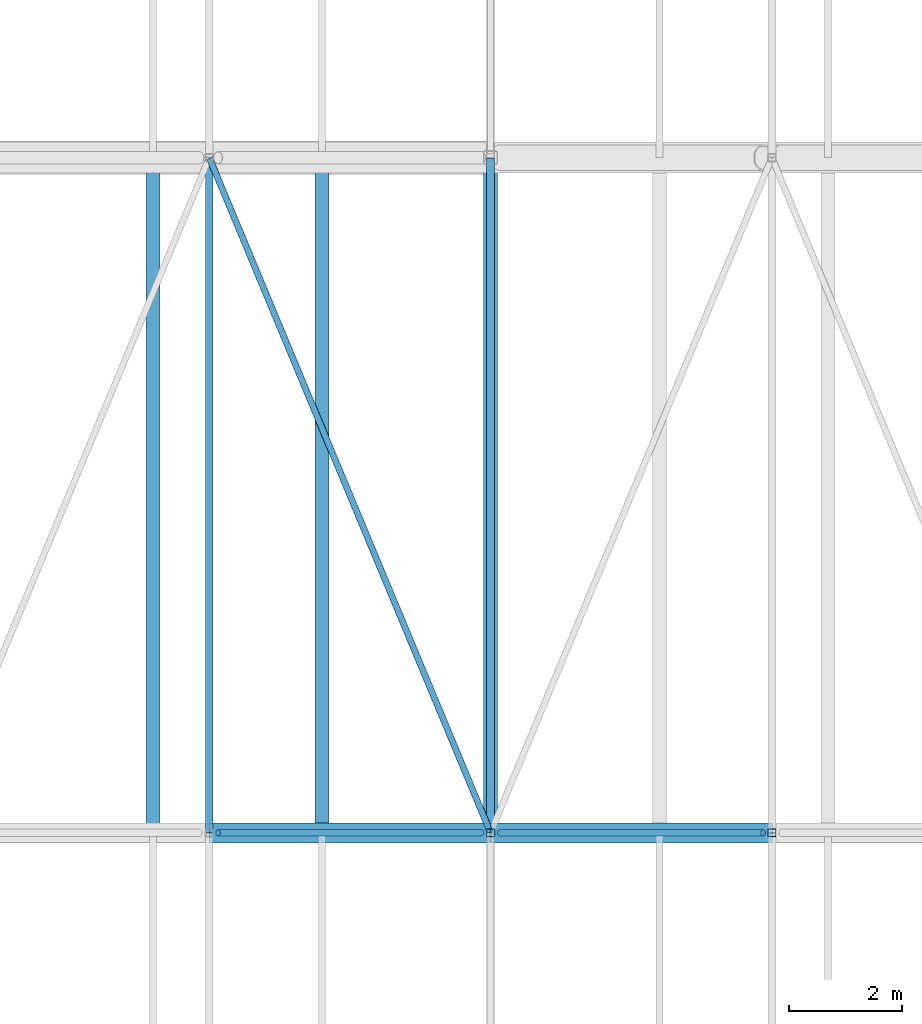
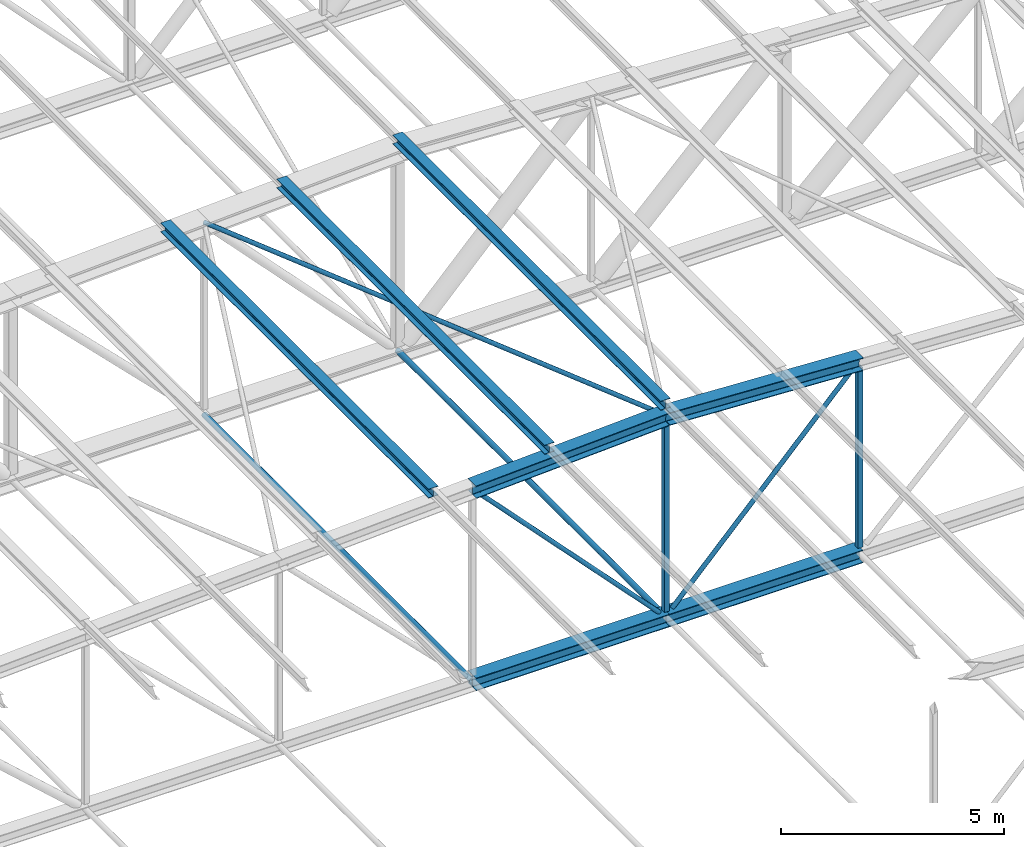
# One storey, part 70 of 156: 14 members.
"""IFC4 building model written with IfcOpenShell, lengths in metres."""

from ifc_helpers import new_model, si_unit, direction, frame, origin, origin_2d, place, context, subcontext, project, spatial, hollow_rectangle, hollow_circle, i_section, extrude, material, material_profile, profile_set, type_object, element, save


model = new_model("IFC4")

# Units and contexts
model_context = context("Model", 3, precision=1e-05, world=origin(), true_north=direction((0.0, 1.0)))
body_context = subcontext(model_context, "Body", "Model", "MODEL_VIEW")
ifc_project = project(units=[si_unit("LENGTHUNIT", "METRE"), si_unit("AREAUNIT", "SQUARE_METRE"), si_unit("VOLUMEUNIT", "CUBIC_METRE"), si_unit("PLANEANGLEUNIT", "RADIAN"), si_unit("MASSUNIT", "GRAM", prefix="KILO")], contexts=[model_context])

# Site, building, storey
site_placement = place(None, origin())
site = spatial("IfcSite", under=ifc_project, at=site_placement, CompositionType="ELEMENT")
building_placement = place(site_placement, origin())
building = spatial("IfcBuilding", under=site, at=building_placement, Name="Lilac Gate Convention Centre", CompositionType="ELEMENT")
storey_placement = place(building_placement, frame((0.0, 0.0, 17.0)))
storey = spatial("IfcBuildingStorey", under=building, at=storey_placement, Name="L03", CompositionType="ELEMENT", Elevation=17.0)

# Members
ifc_material = material(Name="Steel Q355B", Category="steel")
ifc_material_profile_1 = material_profile(ifc_material, hollow_circle(Radius=0.06982421875, WallThickness=0.0048828125, at=origin_2d()), Name="CHS139.7x5")
ifc_profile_set_1 = profile_set([ifc_material_profile_1], Name="Steel Q355B")
member_type_1 = type_object("IfcMemberType", Name="Bottom chord tie CHS139.7x5", PredefinedType="STRUT", material=ifc_profile_set_1)
for number, where, z_axis, x_axis, name in (
    (1, (55.0, 126.009521484375, 0.0), (0.0, 1.0, 0.0), (-1.0, 0.0, 0.0), "ST1 tie bay 9 node 6"),
    (2, (60.0, 126.009521484375, 0.0), (0.0, 1.0, 0.0), (-1.0, 0.0, 0.0), "ST1 tie bay 9 node 7"),
):
    element("IfcMember", number, at=place(storey_placement, frame(where, z_axis=z_axis, x_axis=x_axis)), inside=storey, type_object=member_type_1, Name=name, PredefinedType="STRUT", context=body_context, shape_type="SweptSolid", body=[
        extrude(hollow_circle(Radius=0.06982421875, WallThickness=0.0048828125, at=origin_2d()), origin(), (0.0, 0.0, 1.0), 11.98046875),
    ])
ifc_material_profile_2 = material_profile(ifc_material, hollow_circle(Radius=0.05712890625, WallThickness=0.0048828125, at=origin_2d()), Name="CHS114.3x5")
ifc_profile_set_2 = profile_set([ifc_material_profile_2], Name="Steel Q355B")
member_type_2 = type_object("IfcMemberType", Name="Roof plane bracing CHS114.3x5", PredefinedType="BRACE", material=ifc_profile_set_2)
member_1_placement = place(storey_placement, frame((55.005126953125, 137.987548828125, 5.250244140625), z_axis=(0.38455228383, -0.922902902528, 0.019229495747), x_axis=(0.923073582385, 0.384623402177, 0.0)))
element("IfcMember", 3, at=member_1_placement, inside=storey, type_object=member_type_2, Name="BR1 plan bracing bay 9 panel 6", PredefinedType="BRACE", context=body_context, shape_type="SweptSolid", body=[
    extrude(hollow_circle(Radius=0.05712890625, WallThickness=0.0048828125, at=origin_2d()), origin(), (0.0, 0.0, 1.0), 12.9755859375),
])
ifc_material_profile_3 = material_profile(ifc_material, i_section(OverallWidth=0.25, OverallDepth=0.25, WebThickness=0.009033203125, FlangeThickness=0.013916015625, FilletRadius=0.012939453125, at=origin_2d()), Name="HW250x250x9x14")
ifc_profile_set_3 = profile_set([ifc_material_profile_3], Name="Steel Q355B")
member_type_3 = type_object("IfcMemberType", Name="Roof purlin HW250x250x9x14", PredefinedType="PURLIN", material=ifc_profile_set_3)
for number, where, z_axis, x_axis, name in (
    (4, (54.0, 126.0, 5.500244140625), (0.0, 1.0, 0.0), (-1.0, 0.0, 0.0), "PU1 purlin bay 9 line 9"),
    (5, (57.0, 126.0, 5.650146484375), (0.0, 1.0, 0.0), (-1.0, 0.0, 0.0), "PU1 purlin bay 9 line 10"),
    (6, (60.0, 126.0, 5.80029296875), (0.0, 1.0, 0.0), (-1.0, 0.0, 0.0), "PU1 purlin bay 9 line 11"),
):
    element("IfcMember", number, at=place(storey_placement, frame(where, z_axis=z_axis, x_axis=x_axis)), inside=storey, type_object=member_type_3, Name=name, PredefinedType="PURLIN", context=body_context, shape_type="SweptSolid", body=[
        extrude(i_section(OverallWidth=0.25, OverallDepth=0.25, WebThickness=0.009033203125, FlangeThickness=0.013916015625, FilletRadius=0.012939453125, at=origin_2d()), origin(), (0.0, 0.0, 1.0), 12.0),
    ])
ifc_material_profile_4 = material_profile(ifc_material, i_section(OverallWidth=0.35693359375, OverallDepth=0.35009765625, WebThickness=0.01904296875, FlangeThickness=0.01904296875, FilletRadius=0.012939453125, at=origin_2d()), Name="HW350x357x19x19")
ifc_profile_set_4 = profile_set([ifc_material_profile_4], Name="Steel Q355B")
member_type_4 = type_object("IfcMemberType", Name="Truss bottom chord HW350x357x19x19", PredefinedType="CHORD", material=ifc_profile_set_4)
for number, where, z_axis, x_axis, name in (
    (7, (55.0, 126.0, 0.0), (1.0, 0.0, 0.0), (0.0, 1.0, 0.0), "TB3 truss 9 bottom chord 6"),
    (8, (60.0, 126.0, 0.0), (1.0, 0.0, 0.0), (0.0, 1.0, 0.0), "TB3 truss 9 bottom chord 7"),
):
    element("IfcMember", number, at=place(storey_placement, frame(where, z_axis=z_axis, x_axis=x_axis)), inside=storey, type_object=member_type_4, Name=name, PredefinedType="CHORD", context=body_context, shape_type="SweptSolid", body=[
        extrude(i_section(OverallWidth=0.35693359375, OverallDepth=0.35009765625, WebThickness=0.01904296875, FlangeThickness=0.01904296875, FilletRadius=0.012939453125, at=origin_2d()), origin(), (0.0, 0.0, 1.0), 5.0),
    ])
ifc_material_profile_5 = material_profile(ifc_material, hollow_circle(Radius=0.05712890625, WallThickness=0.0048828125, at=origin_2d()), Name="CHS114.3x5")
ifc_profile_set_5 = profile_set([ifc_material_profile_5], Name="Steel Q355B")
member_type_5 = type_object("IfcMemberType", Name="Truss diagonal CHS114.3x5", PredefinedType="BRACE", material=ifc_profile_set_5)
for number, where, z_axis, x_axis, name in (
    (9, (55.156494140625, 126.0, 5.085693359375), (0.6896515765, 0.0, -0.724141355697), (0.0, 1.0, 0.0), "TW6 truss 9 diagonal 6"),
    (10, (64.843505859375, 126.0, 5.085693359375), (-0.6896515765, 0.0, -0.724141355697), (0.0, -1.0, 0.0), "TW6 truss 9 diagonal 7"),
):
    element("IfcMember", number, at=place(storey_placement, frame(where, z_axis=z_axis, x_axis=x_axis)), inside=storey, type_object=member_type_5, Name=name, PredefinedType="BRACE", context=body_context, shape_type="SweptSolid", body=[
        extrude(hollow_circle(Radius=0.05712890625, WallThickness=0.0048828125, at=origin_2d()), origin(), (0.0, 0.0, 1.0), 6.78125),
    ])
ifc_material_profile_6 = material_profile(ifc_material, i_section(OverallWidth=0.35693359375, OverallDepth=0.35009765625, WebThickness=0.01904296875, FlangeThickness=0.01904296875, FilletRadius=0.012939453125, at=origin_2d()), Name="HW350x357x19x19")
ifc_profile_set_6 = profile_set([ifc_material_profile_6], Name="Steel Q355B")
member_type_6 = type_object("IfcMemberType", Name="Truss top chord HW350x357x19x19", PredefinedType="CHORD", material=ifc_profile_set_6)
for number, where, z_axis, x_axis, name in (
    (11, (55.0, 126.0, 5.25), (0.998752338878, 0.0, 0.049937616944), (0.0, 1.0, 0.0), "TT3 truss 9 top chord 6"),
    (12, (60.0, 126.0, 5.5), (0.998752338878, 0.0, -0.049937616944), (0.0, 1.0, 0.0), "TT3 truss 9 top chord 7"),
):
    element("IfcMember", number, at=place(storey_placement, frame(where, z_axis=z_axis, x_axis=x_axis)), inside=storey, type_object=member_type_6, Name=name, PredefinedType="CHORD", context=body_context, shape_type="SweptSolid", body=[
        extrude(i_section(OverallWidth=0.35693359375, OverallDepth=0.35009765625, WebThickness=0.01904296875, FlangeThickness=0.01904296875, FilletRadius=0.012939453125, at=origin_2d()), origin(), (0.0, 0.0, 1.0), 5.00634765625),
    ])
ifc_material_profile_7 = material_profile(ifc_material, hollow_rectangle(XDim=0.139892578125, YDim=0.139892578125, WallThickness=0.0048828125, InnerFilletRadius=0.0048828125, OuterFilletRadius=0.010009765625, at=origin_2d()), Name="SHS140x140x5")
ifc_profile_set_7 = profile_set([ifc_material_profile_7], Name="Steel Q355B")
member_type_7 = type_object("IfcMemberType", Name="Truss vertical SHS140x140x5", PredefinedType="STRUT", material=ifc_profile_set_7)
member_2_placement = place(storey_placement, frame((60.0, 126.0, 0.175048828125), z_axis=(0.0, 0.0, 1.0), x_axis=(1.0, 0.0, 0.0)))
element("IfcMember", 13, at=member_2_placement, inside=storey, type_object=member_type_7, Name="TV4 truss 9 vertical 7", PredefinedType="STRUT", context=body_context, shape_type="SweptSolid", body=[
    extrude(hollow_rectangle(XDim=0.139892578125, YDim=0.139892578125, WallThickness=0.0048828125, InnerFilletRadius=0.0048828125, OuterFilletRadius=0.010009765625, at=origin_2d()), origin(), (0.0, 0.0, 1.0), 5.149658203125),
])
member_3_placement = place(storey_placement, frame((65.0, 126.0, 0.175048828125), z_axis=(0.0, 0.0, 1.0), x_axis=(1.0, 0.0, 0.0)))
element("IfcMember", 14, at=member_3_placement, inside=storey, type_object=member_type_7, Name="TV4 truss 9 vertical 8", PredefinedType="STRUT", context=body_context, shape_type="SweptSolid", body=[
    extrude(hollow_rectangle(XDim=0.139892578125, YDim=0.139892578125, WallThickness=0.0048828125, InnerFilletRadius=0.0048828125, OuterFilletRadius=0.010009765625, at=origin_2d()), origin(), (0.0, 0.0, 1.0), 4.899658203125),
])

save(model, "model.ifc")
